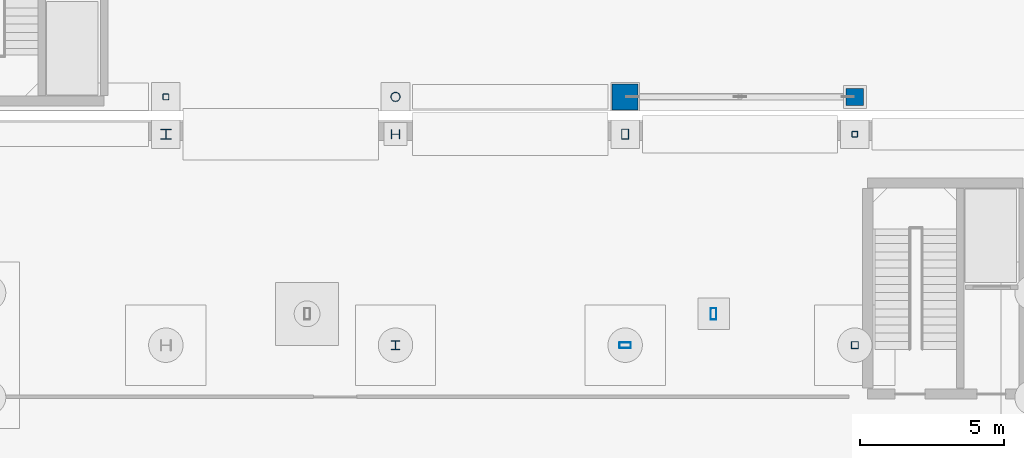
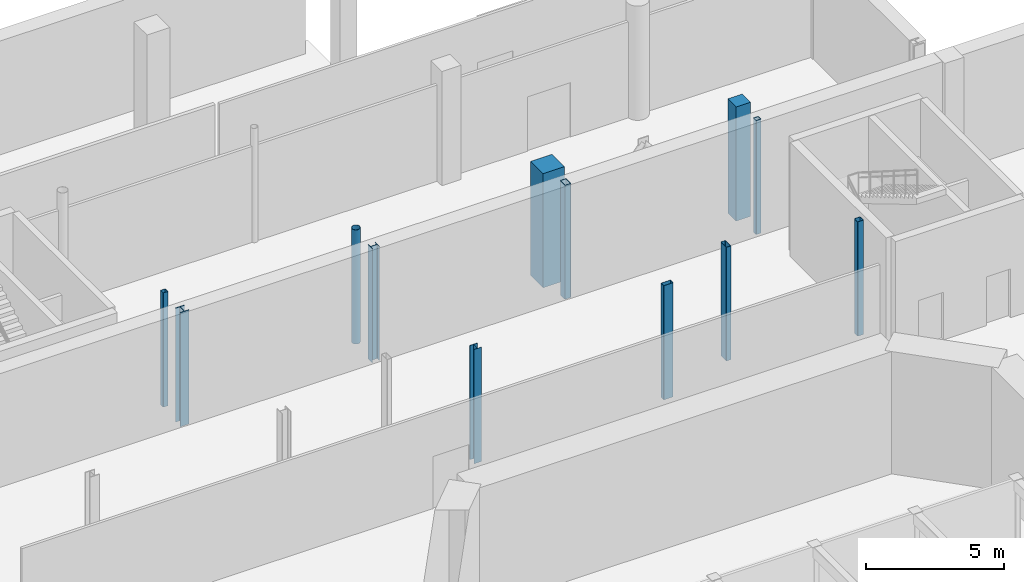
# One storey, part 16 of 33: 12 columns.
"""IFC4 building model written with IfcOpenShell, lengths in metres."""

from ifc_helpers import new_model, si_unit, direction, frame, origin, origin_2d, place, context, subcontext, project, spatial, rectangle, hollow_rectangle, hollow_circle, i_section, extrude, material, material_profile, profile_set, type_object, element, save


model = new_model("IFC4")

# Units and contexts
model_context = context("Model", 3, precision=1e-05, world=origin(), true_north=direction((0.0, 1.0)))
body_context = subcontext(model_context, "Body", "Model", "MODEL_VIEW")
ifc_project = project(units=[si_unit("LENGTHUNIT", "METRE"), si_unit("AREAUNIT", "SQUARE_METRE"), si_unit("VOLUMEUNIT", "CUBIC_METRE"), si_unit("PLANEANGLEUNIT", "RADIAN"), si_unit("MASSUNIT", "GRAM", prefix="KILO")], contexts=[model_context])

# Site, building, storey
site_placement = place(None, origin())
site = spatial("IfcSite", under=ifc_project, at=site_placement, CompositionType="ELEMENT")
building_placement = place(site_placement, origin())
building = spatial("IfcBuilding", under=site, at=building_placement, Name="Brisemont Oceanarium", CompositionType="ELEMENT")
storey_placement = place(building_placement, frame((0.0, 0.0, -5.39990234375)))
storey = spatial("IfcBuildingStorey", under=building, at=storey_placement, Name="B01", CompositionType="ELEMENT", Elevation=-5.39990234375)

# Columns
ifc_material_1 = material(Name="Structural Steel ASTM A500 Gr.C", Category="steel")
ifc_material_profile_1 = material_profile(ifc_material_1, hollow_circle(Radius=0.162109375, WallThickness=0.01171875, at=origin_2d()), Name="HSS12.750X0.500")
ifc_profile_set_1 = profile_set([ifc_material_profile_1], Name="Structural Steel ASTM A500 Gr.C")
column_type_1 = type_object("IfcColumnType", Name="COL-CHS12", PredefinedType="COLUMN", material=ifc_profile_set_1)
column_1_placement = place(storey_placement, frame((80.0, 80.64990234375, 0.0), z_axis=(0.0, 0.0, 1.0), x_axis=(0.0, 1.0, 0.0)))
element("IfcColumn", 1, at=column_1_placement, inside=storey, type_object=column_type_1, Name="V7E B01 column (3,0)", PredefinedType="COLUMN", context=body_context, shape_type="SweptSolid", body=[
    extrude(hollow_circle(Radius=0.162109375, WallThickness=0.01171875, at=origin_2d()), origin(), (0.0, 0.0, 1.0), 5.039794921875),
])
ifc_material_2 = material(Name="Structural Steel ASTM A500 Gr.C", Category="steel")
ifc_material_profile_2 = material_profile(ifc_material_2, hollow_rectangle(XDim=0.25390625, YDim=0.25390625, WallThickness=0.01171875, InnerFilletRadius=0.01220703125, OuterFilletRadius=0.02392578125, at=origin_2d()), Name="HSS10X10X1/2")
ifc_profile_set_2 = profile_set([ifc_material_profile_2], Name="Structural Steel ASTM A500 Gr.C")
column_type_2 = type_object("IfcColumnType", Name="COL-HSS10X10", PredefinedType="COLUMN", material=ifc_profile_set_2)
column_2_placement = place(storey_placement, frame((96.0, 72.0, 0.0), z_axis=(0.0, 0.0, 1.0), x_axis=(1.0, 0.0, 0.0)))
element("IfcColumn", 2, at=column_2_placement, inside=storey, type_object=column_type_2, Name="V1 B01 column (5,5)", PredefinedType="COLUMN", context=body_context, shape_type="SweptSolid", body=[
    extrude(hollow_rectangle(XDim=0.25390625, YDim=0.25390625, WallThickness=0.01171875, InnerFilletRadius=0.01220703125, OuterFilletRadius=0.02392578125, at=origin_2d()), origin(), (0.0, 0.0, 1.0), 5.039794921875),
])
ifc_material_3 = material(Name="Structural Steel ASTM A500 Gr.C", Category="steel")
ifc_material_profile_3 = material_profile(ifc_material_3, hollow_rectangle(XDim=0.25390625, YDim=0.35595703125, WallThickness=0.01171875, InnerFilletRadius=0.01220703125, OuterFilletRadius=0.02392578125, at=origin_2d()), Name="HSS14X10X1/2")
ifc_profile_set_3 = profile_set([ifc_material_profile_3], Name="Structural Steel ASTM A500 Gr.C")
column_type_3 = type_object("IfcColumnType", Name="COL-HSS14X10", PredefinedType="COLUMN", material=ifc_profile_set_3)
column_3_placement = place(storey_placement, frame((88.0, 79.35009765625, 0.0), z_axis=(0.0, 0.0, 1.0), x_axis=(1.0, 0.0, 0.0)))
element("IfcColumn", 3, at=column_3_placement, inside=storey, type_object=column_type_3, Name="V1 B01 column (4,6)", PredefinedType="COLUMN", context=body_context, shape_type="SweptSolid", body=[
    extrude(hollow_rectangle(XDim=0.25390625, YDim=0.35595703125, WallThickness=0.01171875, InnerFilletRadius=0.01220703125, OuterFilletRadius=0.02392578125, at=origin_2d()), origin(), (0.0, 0.0, 1.0), 5.039794921875),
])
ifc_material_4 = material(Name="Structural Steel ASTM A500 Gr.C", Category="steel")
ifc_material_profile_4 = material_profile(ifc_material_4, hollow_rectangle(XDim=0.202880859375, YDim=0.406005859375, WallThickness=0.01171875, InnerFilletRadius=0.01220703125, OuterFilletRadius=0.02392578125, at=origin_2d()), Name="HSS16X8X1/2")
ifc_profile_set_4 = profile_set([ifc_material_profile_4], Name="Structural Steel ASTM A500 Gr.C")
column_type_4 = type_object("IfcColumnType", Name="COL-HSS16X8", PredefinedType="COLUMN", material=ifc_profile_set_4)
column_4_placement = place(storey_placement, frame((88.0, 72.0, 0.0), z_axis=(0.0, 0.0, 1.0), x_axis=(0.0, 1.0, 0.0)))
element("IfcColumn", 4, at=column_4_placement, inside=storey, type_object=column_type_4, Name="V1 B01 column (4,5)", PredefinedType="COLUMN", context=body_context, shape_type="SweptSolid", body=[
    extrude(hollow_rectangle(XDim=0.202880859375, YDim=0.406005859375, WallThickness=0.01171875, InnerFilletRadius=0.01220703125, OuterFilletRadius=0.02392578125, at=origin_2d()), origin(), (0.0, 0.0, 1.0), 5.039794921875),
])
column_5_placement = place(storey_placement, frame((91.07958984375, 73.091796875, 0.0), z_axis=(0.0, 0.0, 1.0), x_axis=(1.0, 0.0, 0.0)))
element("IfcColumn", 5, at=column_5_placement, inside=storey, type_object=column_type_4, Name="V1 dome drum pier B01.2", PredefinedType="COLUMN", context=body_context, shape_type="SweptSolid", body=[
    extrude(hollow_rectangle(XDim=0.202880859375, YDim=0.406005859375, WallThickness=0.01171875, InnerFilletRadius=0.01220703125, OuterFilletRadius=0.02392578125, at=origin_2d()), origin(), (0.0, 0.0, 1.0), 5.02001953125),
])
ifc_material_5 = material(Name="Structural Steel ASTM A500 Gr.C", Category="steel")
ifc_material_profile_5 = material_profile(ifc_material_5, hollow_rectangle(XDim=0.202880859375, YDim=0.202880859375, WallThickness=0.0087890625, InnerFilletRadius=0.009033203125, OuterFilletRadius=0.01806640625, at=origin_2d()), Name="HSS8X8X3/8")
ifc_profile_set_5 = profile_set([ifc_material_profile_5], Name="Structural Steel ASTM A500 Gr.C")
column_type_5 = type_object("IfcColumnType", Name="COL-HSS8X8", PredefinedType="COLUMN", material=ifc_profile_set_5)
for number, where, z_axis, x_axis, name in (
    (6, (96.0, 79.35009765625, 0.0), (0.0, 0.0, 1.0), (0.0, 1.0, 0.0), "V1 B01 column (5,6)"),
    (7, (72.0, 80.64990234375, 0.0), (0.0, 0.0, 1.0), (1.0, 0.0, 0.0), "V7E B01 column (2,0)"),
):
    element("IfcColumn", number, at=place(storey_placement, frame(where, z_axis=z_axis, x_axis=x_axis)), inside=storey, type_object=column_type_5, Name=name, PredefinedType="COLUMN", context=body_context, shape_type="SweptSolid", body=[
        extrude(hollow_rectangle(XDim=0.202880859375, YDim=0.202880859375, WallThickness=0.0087890625, InnerFilletRadius=0.009033203125, OuterFilletRadius=0.01806640625, at=origin_2d()), origin(), (0.0, 0.0, 1.0), 5.039794921875),
    ])
ifc_material_6 = material(Name="Concrete C35/45", Category="concrete")
ifc_material_profile_6 = material_profile(ifc_material_6, rectangle(XDim=0.60009765625, YDim=0.60009765625, at=origin_2d()), Name="RC-COL-600X600")
ifc_profile_set_6 = profile_set([ifc_material_profile_6], Name="Concrete C35/45")
column_type_6 = type_object("IfcColumnType", Name="COL-RC600", PredefinedType="COLUMN", material=ifc_profile_set_6)
column_6_placement = place(storey_placement, frame((96.0, 80.64990234375, 0.0), z_axis=(0.0, 0.0, 1.0), x_axis=(0.0, 1.0, 0.0)))
element("IfcColumn", 8, at=column_6_placement, inside=storey, type_object=column_type_6, Name="V7E B01 column (5,0)", PredefinedType="COLUMN", context=body_context, shape_type="SweptSolid", body=[
    extrude(rectangle(XDim=0.60009765625, YDim=0.60009765625, at=origin_2d()), origin(), (0.0, 0.0, 1.0), 5.039794921875),
])
ifc_material_7 = material(Name="Concrete C40/50", Category="concrete")
ifc_material_profile_7 = material_profile(ifc_material_7, rectangle(XDim=0.89990234375, YDim=0.89990234375, at=origin_2d()), Name="RC-COL-900X900")
ifc_profile_set_7 = profile_set([ifc_material_profile_7], Name="Concrete C40/50")
column_type_7 = type_object("IfcColumnType", Name="COL-RC900", PredefinedType="COLUMN", material=ifc_profile_set_7)
column_7_placement = place(storey_placement, frame((88.0, 80.64990234375, 0.0), z_axis=(0.0, 0.0, 1.0), x_axis=(1.0, 0.0, 0.0)))
element("IfcColumn", 9, at=column_7_placement, inside=storey, type_object=column_type_7, Name="V7E B01 column (4,0)", PredefinedType="COLUMN", context=body_context, shape_type="SweptSolid", body=[
    extrude(rectangle(XDim=0.89990234375, YDim=0.89990234375, at=origin_2d()), origin(), (0.0, 0.0, 1.0), 5.039794921875),
])
ifc_material_8 = material(Name="Structural Steel ASTM A992 Gr.50", Category="steel")
ifc_material_profile_8 = material_profile(ifc_material_8, i_section(OverallWidth=0.304931640625, OverallDepth=0.306884765625, WebThickness=0.010009765625, FlangeThickness=0.015380859375, FilletRadius=0.012939453125, at=origin_2d()), Name="W12X65")
ifc_profile_set_8 = profile_set([ifc_material_profile_8], Name="Structural Steel ASTM A992 Gr.50")
column_type_8 = type_object("IfcColumnType", Name="COL-W12X65", PredefinedType="COLUMN", material=ifc_profile_set_8)
column_8_placement = place(storey_placement, frame((80.0, 79.35009765625, 0.0), z_axis=(0.0, 0.0, 1.0), x_axis=(0.0, 1.0, 0.0)))
element("IfcColumn", 10, at=column_8_placement, inside=storey, type_object=column_type_8, Name="V1 B01 column (3,6)", PredefinedType="COLUMN", context=body_context, shape_type="SweptSolid", body=[
    extrude(i_section(OverallWidth=0.304931640625, OverallDepth=0.306884765625, WebThickness=0.010009765625, FlangeThickness=0.015380859375, FilletRadius=0.012939453125, at=origin_2d()), origin(), (0.0, 0.0, 1.0), 5.039794921875),
])
ifc_material_9 = material(Name="Structural Steel ASTM A992 Gr.50", Category="steel")
ifc_material_profile_9 = material_profile(ifc_material_9, i_section(OverallWidth=0.305908203125, OverallDepth=0.31103515625, WebThickness=0.010986328125, FlangeThickness=0.01708984375, FilletRadius=0.012939453125, at=origin_2d()), Name="W12X72")
ifc_profile_set_9 = profile_set([ifc_material_profile_9], Name="Structural Steel ASTM A992 Gr.50")
column_type_9 = type_object("IfcColumnType", Name="COL-W12X72", PredefinedType="COLUMN", material=ifc_profile_set_9)
column_9_placement = place(storey_placement, frame((80.0, 72.0, 0.0), z_axis=(0.0, 0.0, 1.0), x_axis=(1.0, 0.0, 0.0)))
element("IfcColumn", 11, at=column_9_placement, inside=storey, type_object=column_type_9, Name="V1 B01 column (3,5)", PredefinedType="COLUMN", context=body_context, shape_type="SweptSolid", body=[
    extrude(i_section(OverallWidth=0.305908203125, OverallDepth=0.31103515625, WebThickness=0.010986328125, FlangeThickness=0.01708984375, FilletRadius=0.012939453125, at=origin_2d()), origin(), (0.0, 0.0, 1.0), 5.039794921875),
])
ifc_material_10 = material(Name="Structural Steel ASTM A992 Gr.50", Category="steel")
ifc_material_profile_10 = material_profile(ifc_material_10, i_section(OverallWidth=0.367919921875, OverallDepth=0.35595703125, WebThickness=0.01123046875, FlangeThickness=0.01806640625, FilletRadius=0.014892578125, at=origin_2d()), Name="W14X90")
ifc_profile_set_10 = profile_set([ifc_material_profile_10], Name="Structural Steel ASTM A992 Gr.50")
column_type_10 = type_object("IfcColumnType", Name="COL-W14X90", PredefinedType="COLUMN", material=ifc_profile_set_10)
column_10_placement = place(storey_placement, frame((72.0, 79.35009765625, 0.0), z_axis=(0.0, 0.0, 1.0), x_axis=(1.0, 0.0, 0.0)))
element("IfcColumn", 12, at=column_10_placement, inside=storey, type_object=column_type_10, Name="V1 B01 column (2,6)", PredefinedType="COLUMN", context=body_context, shape_type="SweptSolid", body=[
    extrude(i_section(OverallWidth=0.367919921875, OverallDepth=0.35595703125, WebThickness=0.01123046875, FlangeThickness=0.01806640625, FilletRadius=0.014892578125, at=origin_2d()), origin(), (0.0, 0.0, 1.0), 5.039794921875),
])

save(model, "model.ifc")
